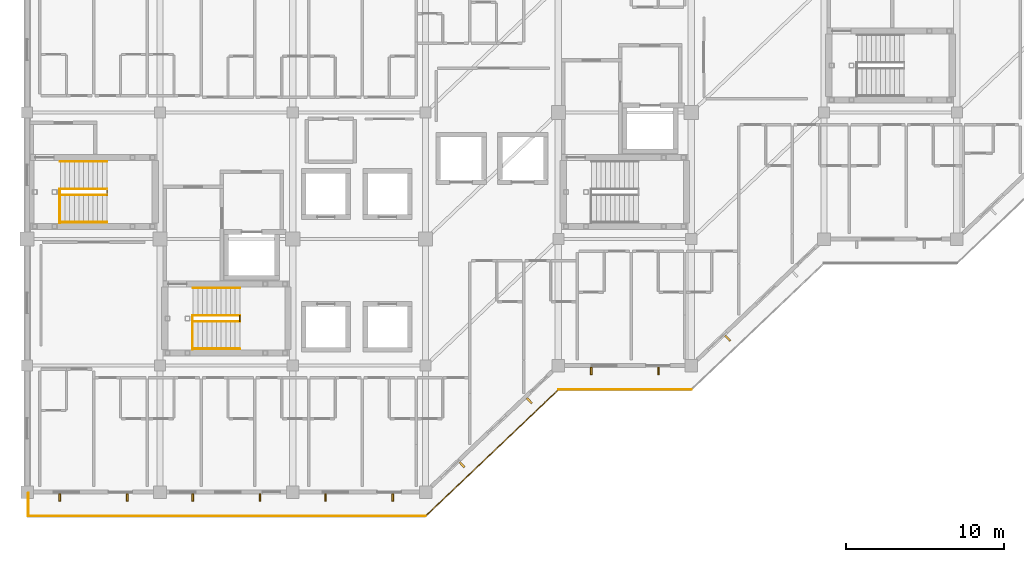
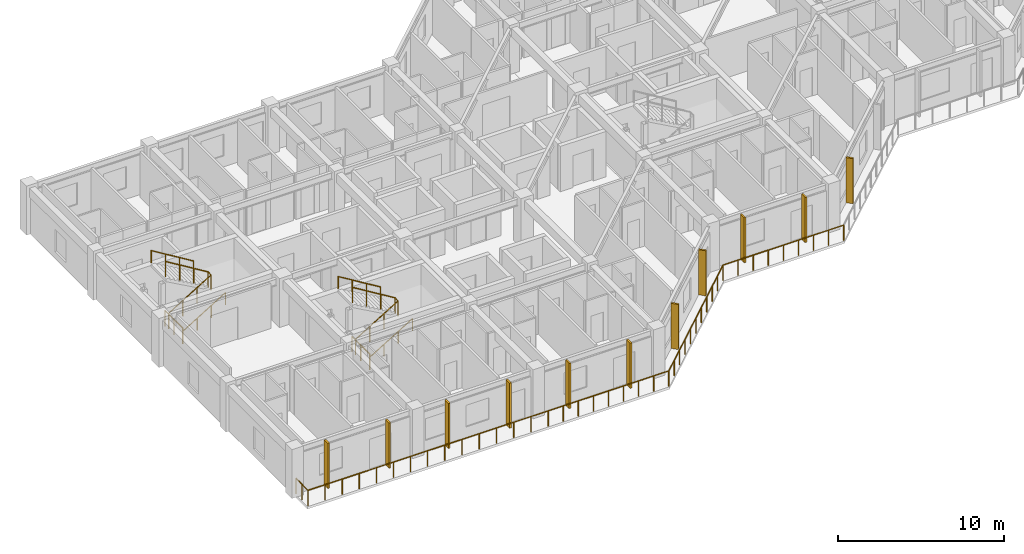
# One storey, part 16 of 17: 18 railings, 11 shading devices.
"""IFC4 building model written with IfcOpenShell, lengths in metres."""

import ifcopenshell
import ifcopenshell.guid

model = None  # the IFC model being written
_history = None  # IfcOwnerHistory: only IFC2X3 demands one
_inside = {}  # id of a spatial element -> (the spatial element, [elements in it])
_under = {}  # id of a project, library or spatial element -> (it, [spatial elements below it])
_declared = {}  # id of a project -> (the project, [libraries it declares])
_typed = {}  # id of a type object -> (the type object, [elements of that type])
_made_of = {}  # id of a material, layer set ... -> (it, [elements and type objects made of it])


def new_model(schema):
    """Start an empty IFC model of exactly this schema.

    Asked for "IFC4X3", IfcOpenShell would pick the latest addendum, in which some entities
    have other attributes; the version numbers below select the first issue.
    IFC2X3 requires an IfcOwnerHistory on every rooted entity: one is made here for all.
    """
    global model, _history
    if schema == "IFC4X3":
        model = ifcopenshell.file(schema_version=(4, 3, 0, 0))
    else:
        model = ifcopenshell.file(schema=schema)
    _inside.clear()
    _under.clear()
    _declared.clear()
    _typed.clear()
    _made_of.clear()
    _history = None
    if model.schema == "IFC2X3":
        org = make("IfcOrganization", Name="unknown")
        user = make(
            "IfcPersonAndOrganization",
            ThePerson=make("IfcPerson", FamilyName="unknown"),
            TheOrganization=org,
        )
        app = make(
            "IfcApplication",
            ApplicationDeveloper=org,
            Version="unknown",
            ApplicationFullName="unknown",
            ApplicationIdentifier="unknown",
        )
        _history = make(
            "IfcOwnerHistory",
            OwningUser=user,
            OwningApplication=app,
            ChangeAction="ADDED",
            CreationDate=0,
        )
    return model


def make(cls, **values):
    """One entity of the class cls with the attributes given. An attribute that is None is left unset."""
    return model.create_entity(
        cls, **{name: value for name, value in values.items() if value is not None}
    )


def rooted(cls, **values):
    """An entity with a GlobalId (a new one), such as an element, a storey or a relation."""
    return make(cls, GlobalId=ifcopenshell.guid.new(), OwnerHistory=_history, **values)


def si_unit(unit_type, name, prefix=None):
    """IfcSIUnit, for example si_unit("LENGTHUNIT", "METRE", prefix="MILLI")."""
    return make("IfcSIUnit", UnitType=unit_type, Prefix=prefix, Name=name)


def assignment(units):
    """IfcUnitAssignment: the units of a project."""
    return None if units is None else make("IfcUnitAssignment", Units=units)


def point(xyz):
    """IfcCartesianPoint."""
    return None if xyz is None else make("IfcCartesianPoint", Coordinates=xyz)


def direction(xyz):
    """IfcDirection."""
    return None if xyz is None else make("IfcDirection", DirectionRatios=xyz)


def frame(location, z_axis=None, x_axis=None):
    """IfcAxis2Placement3D, a coordinate frame: its origin and axes. An axis left out is left unset."""
    return make(
        "IfcAxis2Placement3D",
        Location=point(location),
        Axis=direction(z_axis),
        RefDirection=direction(x_axis),
    )


def frame_2d(location, x_axis=None):
    """IfcAxis2Placement2D, a coordinate frame in the plane: its origin and x axis."""
    return make(
        "IfcAxis2Placement2D", Location=point(location), RefDirection=direction(x_axis)
    )


def origin():
    """The frame at (0, 0, 0) with its axes left unset."""
    return frame((0.0, 0.0, 0.0))


def origin_2d():
    """The frame at (0, 0) in the plane with its x axis left unset."""
    return frame_2d((0.0, 0.0))


def place(relative_to, where):
    """IfcLocalPlacement: puts the frame where relative to a parent placement (None: the world)."""
    return make(
        "IfcLocalPlacement", PlacementRelTo=relative_to, RelativePlacement=where
    )


def context(
    kind, dimensions, precision=None, world=None, true_north=None, identifier=None
):
    """IfcGeometricRepresentationContext, for example the 3D "Model" context."""
    return make(
        "IfcGeometricRepresentationContext",
        ContextIdentifier=identifier,
        ContextType=kind,
        CoordinateSpaceDimension=dimensions,
        Precision=precision,
        WorldCoordinateSystem=world,
        TrueNorth=true_north,
    )


def subcontext(parent, identifier, kind, view, scale=None):
    """IfcGeometricRepresentationSubContext, for example "Body" below "Model"."""
    return make(
        "IfcGeometricRepresentationSubContext",
        ContextIdentifier=identifier,
        ContextType=kind,
        ParentContext=parent,
        TargetScale=scale,
        TargetView=view,
    )


def project(units=None, contexts=None):
    """IfcProject with its units and contexts."""
    return rooted(
        "IfcProject",
        Name="project",
        RepresentationContexts=contexts,
        UnitsInContext=assignment(units),
    )


def spatial(cls, under=None, at=None, **own):
    """A site, building, storey or space (cls), placed at a placement, below another one or the project."""
    s = rooted(cls, ObjectPlacement=at, **own)
    if under is not None:
        _under.setdefault(under.id(), (under, []))[1].append(s)
    return s


def profile(cls, at=None, kind="AREA", **sizes):
    """A parametric profile (cls). Its sizes go by their IFC names, for example OverallWidth=200.0."""
    return make(cls, ProfileType=kind, Position=at, **sizes)


def rectangle(**sizes):
    """IfcRectangleProfileDef."""
    return profile("IfcRectangleProfileDef", **sizes)


def circle(**sizes):
    """IfcCircleProfileDef."""
    return profile("IfcCircleProfileDef", **sizes)


def extrude(swept, where, along, depth):
    """IfcExtrudedAreaSolid: the profile swept, set in the frame where, extruded along a direction by depth."""
    return make(
        "IfcExtrudedAreaSolid",
        SweptArea=swept,
        Position=where,
        ExtrudedDirection=direction(along),
        Depth=depth,
    )


def shape(context_of_items, identifier, shape_type, items):
    """IfcShapeRepresentation: the items that make up one representation, for example the "Body"."""
    return make(
        "IfcShapeRepresentation",
        ContextOfItems=context_of_items,
        RepresentationIdentifier=identifier,
        RepresentationType=shape_type,
        Items=items,
    )


def material(Name=None, Category=None):
    """IfcMaterial."""
    return make("IfcMaterial", Name=Name, Category=Category)


def layer(
    of_material, thickness, ventilated=None, Name=None, Category=None, Priority=None
):
    """IfcMaterialLayer: one layer of a wall or slab, of a material (None: an air gap)."""
    return make(
        "IfcMaterialLayer",
        Material=of_material,
        LayerThickness=thickness,
        IsVentilated=ventilated,
        Name=Name,
        Category=Category,
        Priority=Priority,
    )


def layer_set(layers, Name=None):
    """IfcMaterialLayerSet."""
    return make("IfcMaterialLayerSet", MaterialLayers=layers, LayerSetName=Name)


def made_of(thing, what):
    """Note that an element or type object is made of a material, layer set ...; save() writes the relation."""
    if what is not None:
        _made_of.setdefault(what.id(), (what, []))[1].append(thing)
    return thing


def type_object(cls, material=None, **own):
    """A type object (cls), such as IfcWallType, which elements share."""
    return made_of(rooted(cls, **own), material)


def element(
    cls,
    number,
    at=None,
    inside=None,
    cuts=None,
    type_object=None,
    material=None,
    context=None,
    identifier="Body",
    shape_type=None,
    held_by="IfcProductDefinitionShape",
    body=None,
    shapes=None,
    **own,
):
    """One element of the class cls, such as IfcWall. Its Tag is "e" and its number.

    at: its placement. inside: the storey or other place that contains it. cuts: it is an
    opening in that element (IfcRelVoidsElement). A single representation is given by context,
    identifier, shape_type and body (its items); several are given by shapes. held_by: the class
    of the entity that holds the representations. save() writes the other relations.
    """
    e = rooted(cls, Tag="e%d" % number, ObjectPlacement=at, **own)
    if body is not None:
        shapes = [shape(context, identifier, shape_type, body)]
    if shapes is not None:
        e.Representation = make(held_by, Representations=shapes)
    if inside is not None:
        _inside.setdefault(inside.id(), (inside, []))[1].append(e)
    if cuts is not None:
        rooted(
            "IfcRelVoidsElement", RelatingBuildingElement=cuts, RelatedOpeningElement=e
        )
    if type_object is not None:
        _typed.setdefault(type_object.id(), (type_object, []))[1].append(e)
    return made_of(e, material)


def aggregate(whole, parts):
    """IfcRelAggregates: a whole, such as a stair, and the parts it consists of."""
    return rooted("IfcRelAggregates", RelatingObject=whole, RelatedObjects=parts)


def save(model, path):
    """Write the relations noted so far, then the file.

    IfcRelAggregates (storeys below a building ...), IfcRelContainedInSpatialStructure (elements
    in a storey), IfcRelDefinesByType, IfcRelAssociatesMaterial and IfcRelDeclares: one each for
    every whole, place, type object, material and project.
    """
    for whole, parts in _under.values():
        aggregate(whole, parts)
    for where, things in _inside.values():
        rooted(
            "IfcRelContainedInSpatialStructure",
            RelatedElements=things,
            RelatingStructure=where,
        )
    for kind, things in _typed.values():
        rooted("IfcRelDefinesByType", RelatedObjects=things, RelatingType=kind)
    for what, things in _made_of.values():
        rooted("IfcRelAssociatesMaterial", RelatedObjects=things, RelatingMaterial=what)
    for by, libraries in _declared.values():
        rooted("IfcRelDeclares", RelatingContext=by, RelatedDefinitions=libraries)
    model.write(path)


model = new_model("IFC4")

# Units and contexts
model_context = context("Model", 3, precision=1e-05, world=origin(), true_north=direction((0.0, 1.0)))
body_context = subcontext(model_context, "Body", "Model", "MODEL_VIEW")
ifc_project = project(units=[si_unit("LENGTHUNIT", "METRE"), si_unit("AREAUNIT", "SQUARE_METRE"), si_unit("VOLUMEUNIT", "CUBIC_METRE"), si_unit("PLANEANGLEUNIT", "RADIAN"), si_unit("MASSUNIT", "GRAM", prefix="KILO")], contexts=[model_context])

# Site, building, storey
site_placement = place(None, origin())
site = spatial("IfcSite", under=ifc_project, at=site_placement, CompositionType="ELEMENT")
building_placement = place(site_placement, origin())
building = spatial("IfcBuilding", under=site, at=building_placement, Name="Naruveol Harbour Congress Hotel", CompositionType="ELEMENT")
storey_placement = place(building_placement, frame((0.0, 0.0, 25.199951171875)))
storey = spatial("IfcBuildingStorey", under=building, at=storey_placement, Name="L05", CompositionType="ELEMENT", Elevation=25.199951171875)

# Railings
ifc_material_1 = material(Name="Tempered Laminated Safety Glass & Stainless Steel", Category="steel")
ifc_layer_1 = layer(ifc_material_1, 0.06005859375)
ifc_layer_set_1 = layer_set([ifc_layer_1], Name="Tempered Laminated Safety Glass & Stainless Steel")
railing_type_1 = type_object("IfcRailingType", Name="LAMINATED GLASS TERRACE BALUSTRADE 1150", PredefinedType="BALUSTRADE", material=ifc_layer_set_1)
railing_1_placement = place(storey_placement, frame((117.679931640625, -0.06005859375, 0.0)))
element("IfcRailing", 1, at=railing_1_placement, inside=storey, type_object=railing_type_1, Name="L05 Harbour balcony balustrade #78", PredefinedType="BALUSTRADE", context=body_context, shape_type="SweptSolid", body=[
    extrude(circle(Radius=0.02392578125, at=origin_2d()), frame((0.0, 0.0, 1.1259765625), z_axis=(0.0, -1.0, 0.0), x_axis=(1.0, 0.0, 0.0)), (0.0, 0.0, 1.0), 1.4599609375),
    extrude(circle(Radius=0.02099609375, at=origin_2d()), origin(), (0.0, 0.0, 1.0), 1.101806640625),
    extrude(circle(Radius=0.02099609375, at=origin_2d()), frame((0.0, -0.72998046875, 0.0)), (0.0, 0.0, 1.0), 1.101806640625),
    extrude(circle(Radius=0.02099609375, at=origin_2d()), frame((0.0, -1.4599609375, 0.0)), (0.0, 0.0, 1.0), 1.101806640625),
])
railing_2_placement = place(storey_placement, frame((117.679931640625, -1.52001953125, 0.0)))
element("IfcRailing", 2, at=railing_2_placement, inside=storey, type_object=railing_type_1, Name="L05 Harbour balcony balustrade #79", PredefinedType="BALUSTRADE", context=body_context, shape_type="SweptSolid", body=[
    extrude(circle(Radius=0.02392578125, at=origin_2d()), frame((0.0, 0.0, 1.1259765625), z_axis=(1.0, 0.0, 0.0), x_axis=(0.0, 1.0, 0.0)), (0.0, 0.0, 1.0), 8.320068359375),
    extrude(circle(Radius=0.02099609375, at=origin_2d()), origin(), (0.0, 0.0, 1.0), 1.101806640625),
    extrude(circle(Radius=0.02099609375, at=origin_2d()), frame((1.1884765625, 0.0, 0.0)), (0.0, 0.0, 1.0), 1.101806640625),
    extrude(circle(Radius=0.02099609375, at=origin_2d()), frame((2.377197265625, 0.0, 0.0)), (0.0, 0.0, 1.0), 1.101806640625),
    extrude(circle(Radius=0.02099609375, at=origin_2d()), frame((3.565673828125, 0.0, 0.0)), (0.0, 0.0, 1.0), 1.101806640625),
    extrude(circle(Radius=0.02099609375, at=origin_2d()), frame((4.75439453125, 0.0, 0.0)), (0.0, 0.0, 1.0), 1.101806640625),
    extrude(circle(Radius=0.02099609375, at=origin_2d()), frame((5.94287109375, 0.0, 0.0)), (0.0, 0.0, 1.0), 1.101806640625),
    extrude(circle(Radius=0.02099609375, at=origin_2d()), frame((7.131591796875, 0.0, 0.0)), (0.0, 0.0, 1.0), 1.101806640625),
    extrude(circle(Radius=0.02099609375, at=origin_2d()), frame((8.320068359375, 0.0, 0.0)), (0.0, 0.0, 1.0), 1.101806640625),
])
railing_3_placement = place(storey_placement, frame((126.0, -1.52001953125, 0.0)))
element("IfcRailing", 3, at=railing_3_placement, inside=storey, type_object=railing_type_1, Name="L05 Harbour balcony balustrade #80", PredefinedType="BALUSTRADE", context=body_context, shape_type="SweptSolid", body=[
    extrude(circle(Radius=0.02392578125, at=origin_2d()), frame((0.0, 0.0, 1.1259765625), z_axis=(1.0, 0.0, 0.0), x_axis=(0.0, 1.0, 0.0)), (0.0, 0.0, 1.0), 8.39990234375),
    extrude(circle(Radius=0.02099609375, at=origin_2d()), origin(), (0.0, 0.0, 1.0), 1.101806640625),
    extrude(circle(Radius=0.02099609375, at=origin_2d()), frame((1.199951171875, 0.0, 0.0)), (0.0, 0.0, 1.0), 1.101806640625),
    extrude(circle(Radius=0.02099609375, at=origin_2d()), frame((2.39990234375, 0.0, 0.0)), (0.0, 0.0, 1.0), 1.101806640625),
    extrude(circle(Radius=0.02099609375, at=origin_2d()), frame((3.599853515625, 0.0, 0.0)), (0.0, 0.0, 1.0), 1.101806640625),
    extrude(circle(Radius=0.02099609375, at=origin_2d()), frame((4.800048828125, 0.0, 0.0)), (0.0, 0.0, 1.0), 1.101806640625),
    extrude(circle(Radius=0.02099609375, at=origin_2d()), frame((6.0, 0.0, 0.0)), (0.0, 0.0, 1.0), 1.101806640625),
    extrude(circle(Radius=0.02099609375, at=origin_2d()), frame((7.199951171875, 0.0, 0.0)), (0.0, 0.0, 1.0), 1.101806640625),
    extrude(circle(Radius=0.02099609375, at=origin_2d()), frame((8.39990234375, 0.0, 0.0)), (0.0, 0.0, 1.0), 1.101806640625),
])
railing_4_placement = place(storey_placement, frame((134.39990234375, -1.52001953125, 0.0)))
element("IfcRailing", 4, at=railing_4_placement, inside=storey, type_object=railing_type_1, Name="L05 Harbour balcony balustrade #81", PredefinedType="BALUSTRADE", context=body_context, shape_type="SweptSolid", body=[
    extrude(circle(Radius=0.02392578125, at=origin_2d()), frame((0.0, 0.0, 1.1259765625), z_axis=(1.0, 0.0, 0.0), x_axis=(0.0, 1.0, 0.0)), (0.0, 0.0, 1.0), 8.400146484375),
    extrude(circle(Radius=0.02099609375, at=origin_2d()), origin(), (0.0, 0.0, 1.0), 1.101806640625),
    extrude(circle(Radius=0.02099609375, at=origin_2d()), frame((1.050048828125, 0.0, 0.0)), (0.0, 0.0, 1.0), 1.101806640625),
    extrude(circle(Radius=0.02099609375, at=origin_2d()), frame((2.10009765625, 0.0, 0.0)), (0.0, 0.0, 1.0), 1.101806640625),
    extrude(circle(Radius=0.02099609375, at=origin_2d()), frame((3.150146484375, 0.0, 0.0)), (0.0, 0.0, 1.0), 1.101806640625),
    extrude(circle(Radius=0.02099609375, at=origin_2d()), frame((4.2001953125, 0.0, 0.0)), (0.0, 0.0, 1.0), 1.101806640625),
    extrude(circle(Radius=0.02099609375, at=origin_2d()), frame((5.25, 0.0, 0.0)), (0.0, 0.0, 1.0), 1.101806640625),
    extrude(circle(Radius=0.02099609375, at=origin_2d()), frame((6.300048828125, 0.0, 0.0)), (0.0, 0.0, 1.0), 1.101806640625),
    extrude(circle(Radius=0.02099609375, at=origin_2d()), frame((7.35009765625, 0.0, 0.0)), (0.0, 0.0, 1.0), 1.101806640625),
    extrude(circle(Radius=0.02099609375, at=origin_2d()), frame((8.400146484375, 0.0, 0.0)), (0.0, 0.0, 1.0), 1.101806640625),
])
railing_5_placement = place(storey_placement, frame((142.800048828125, -1.52001953125, 0.0)))
element("IfcRailing", 5, at=railing_5_placement, inside=storey, type_object=railing_type_1, Name="L05 Harbour balcony balustrade #82", PredefinedType="BALUSTRADE", context=body_context, shape_type="SweptSolid", body=[
    extrude(circle(Radius=0.02392578125, at=origin_2d()), frame((0.0, 0.0, 1.1259765625), z_axis=(0.724133926887, 0.689659376744, 0.0), x_axis=(-0.689659376744, 0.724133926887, 0.0)), (0.0, 0.0, 1.0), 11.599853515625),
    extrude(circle(Radius=0.02099609375, at=origin_2d()), origin(), (0.0, 0.0, 1.0), 1.101806640625),
    extrude(circle(Radius=0.02099609375, at=origin_2d()), frame((0.840087890625, 0.800048828125, 0.0)), (0.0, 0.0, 1.0), 1.101806640625),
    extrude(circle(Radius=0.02099609375, at=origin_2d()), frame((1.679931640625, 1.60009765625, 0.0)), (0.0, 0.0, 1.0), 1.101806640625),
    extrude(circle(Radius=0.02099609375, at=origin_2d()), frame((2.52001953125, 2.39990234375, 0.0)), (0.0, 0.0, 1.0), 1.101806640625),
    extrude(circle(Radius=0.02099609375, at=origin_2d()), frame((3.35986328125, 3.199951171875, 0.0)), (0.0, 0.0, 1.0), 1.101806640625),
    extrude(circle(Radius=0.02099609375, at=origin_2d()), frame((4.199951171875, 4.0, 0.0)), (0.0, 0.0, 1.0), 1.101806640625),
    extrude(circle(Radius=0.02099609375, at=origin_2d()), frame((5.0400390625, 4.800048828125, 0.0)), (0.0, 0.0, 1.0), 1.101806640625),
    extrude(circle(Radius=0.02099609375, at=origin_2d()), frame((5.8798828125, 5.60009765625, 0.0)), (0.0, 0.0, 1.0), 1.101806640625),
    extrude(circle(Radius=0.02099609375, at=origin_2d()), frame((6.719970703125, 6.39990234375, 0.0)), (0.0, 0.0, 1.0), 1.101806640625),
    extrude(circle(Radius=0.02099609375, at=origin_2d()), frame((7.559814453125, 7.199951171875, 0.0)), (0.0, 0.0, 1.0), 1.101806640625),
    extrude(circle(Radius=0.02099609375, at=origin_2d()), frame((8.39990234375, 8.0, 0.0)), (0.0, 0.0, 1.0), 1.101806640625),
])
railing_6_placement = place(storey_placement, frame((151.199951171875, 6.47998046875, 0.0)))
element("IfcRailing", 6, at=railing_6_placement, inside=storey, type_object=railing_type_1, Name="L05 Harbour balcony balustrade #83", PredefinedType="BALUSTRADE", context=body_context, shape_type="SweptSolid", body=[
    extrude(circle(Radius=0.02392578125, at=origin_2d()), frame((0.0, 0.0, 1.1259765625), z_axis=(1.0, 0.0, 0.0), x_axis=(0.0, 1.0, 0.0)), (0.0, 0.0, 1.0), 8.400146484375),
    extrude(circle(Radius=0.02099609375, at=origin_2d()), origin(), (0.0, 0.0, 1.0), 1.101806640625),
    extrude(circle(Radius=0.02099609375, at=origin_2d()), frame((1.050048828125, 0.0, 0.0)), (0.0, 0.0, 1.0), 1.101806640625),
    extrude(circle(Radius=0.02099609375, at=origin_2d()), frame((2.10009765625, 0.0, 0.0)), (0.0, 0.0, 1.0), 1.101806640625),
    extrude(circle(Radius=0.02099609375, at=origin_2d()), frame((3.150146484375, 0.0, 0.0)), (0.0, 0.0, 1.0), 1.101806640625),
    extrude(circle(Radius=0.02099609375, at=origin_2d()), frame((4.2001953125, 0.0, 0.0)), (0.0, 0.0, 1.0), 1.101806640625),
    extrude(circle(Radius=0.02099609375, at=origin_2d()), frame((5.25, 0.0, 0.0)), (0.0, 0.0, 1.0), 1.101806640625),
    extrude(circle(Radius=0.02099609375, at=origin_2d()), frame((6.300048828125, 0.0, 0.0)), (0.0, 0.0, 1.0), 1.101806640625),
    extrude(circle(Radius=0.02099609375, at=origin_2d()), frame((7.35009765625, 0.0, 0.0)), (0.0, 0.0, 1.0), 1.101806640625),
    extrude(circle(Radius=0.02099609375, at=origin_2d()), frame((8.400146484375, 0.0, 0.0)), (0.0, 0.0, 1.0), 1.101806640625),
])

# Shading devices
ifc_material_2 = material(Name="Precast concrete C40/50", Category="concrete")
shading_device_type = type_object("IfcShadingDeviceType", Name="PRECAST VERTICAL BRISE SOLEIL FIN 120X450", PredefinedType="JALOUSIE", material=ifc_material_2)
for number, where, z_axis, x_axis, name in (
    (7, (123.927978515625, -0.340087890625, 0.0), (0.0, 0.0, 1.0), (-1.0, 0.0, 0.0), "Precast brise-soleil fin BS-V450 #25"),
    (8, (119.672119140625, -0.340087890625, 0.0), (0.0, 0.0, 1.0), (-1.0, 0.0, 0.0), "Precast brise-soleil fin BS-V450 #26"),
    (9, (132.327880859375, -0.340087890625, 0.0), (0.0, 0.0, 1.0), (-1.0, 0.0, 0.0), "Precast brise-soleil fin BS-V450 #27"),
    (10, (128.072021484375, -0.340087890625, 0.0), (0.0, 0.0, 1.0), (-1.0, 0.0, 0.0), "Precast brise-soleil fin BS-V450 #28"),
    (11, (140.72802734375, -0.340087890625, 0.0), (0.0, 0.0, 1.0), (-1.0, 0.0, 0.0), "Precast brise-soleil fin BS-V450 #29"),
    (12, (136.471923828125, -0.340087890625, 0.0), (0.0, 0.0, 1.0), (-1.0, 0.0, 0.0), "Precast brise-soleil fin BS-V450 #30"),
    (13, (149.362060546875, 5.780029296875, 0.0), (0.0, 0.0, 1.0), (-0.724171861437, -0.689619543736, 0.0), "Precast brise-soleil fin BS-V450 #31"),
    (14, (145.10693359375, 1.72705078125, 0.0), (0.0, 0.0, 1.0), (-0.724171861437, -0.689619543736, 0.0), "Precast brise-soleil fin BS-V450 #32"),
    (15, (157.528076171875, 7.659912109375, 0.0), (0.0, 0.0, 1.0), (-1.0, 0.0, 0.0), "Precast brise-soleil fin BS-V450 #33"),
    (16, (153.27197265625, 7.659912109375, 0.0), (0.0, 0.0, 1.0), (-1.0, 0.0, 0.0), "Precast brise-soleil fin BS-V450 #34"),
    (17, (161.906982421875, 9.72705078125, 0.0), (0.0, 0.0, 1.0), (-0.724171861437, -0.689619543736, 0.0), "Precast brise-soleil fin BS-V450 #36"),
):
    element("IfcShadingDevice", number, at=place(storey_placement, frame(where, z_axis=z_axis, x_axis=x_axis)), inside=storey, type_object=shading_device_type, Name=name, PredefinedType="JALOUSIE", context=body_context, shape_type="SweptSolid", body=[
        extrude(rectangle(XDim=0.1201171875, YDim=0.449951171875, at=origin_2d()), origin(), (0.0, 0.0, 1.0), 3.320068359375),
    ])

# Railings
ifc_material_3 = material(Name="Stainless Steel 304", Category="steel")
ifc_layer_2 = layer(ifc_material_3, 0.0419921875)
ifc_layer_set_2 = layer_set([ifc_layer_2], Name="Stainless Steel 304")
railing_type_2 = type_object("IfcRailingType", Name="STAIR WALL MOUNTED HANDRAIL 900", PredefinedType="HANDRAIL", material=ifc_layer_set_2)
railing_7_placement = place(storey_placement, frame((128.10009765625, 9.06005859375, 0.0)))
element("IfcRailing", 18, at=railing_7_placement, inside=storey, type_object=railing_type_2, Name="Stair ST1 L05 lower wall handrail", PredefinedType="HANDRAIL", context=body_context, shape_type="SweptSolid", body=[
    extrude(circle(Radius=0.02392578125, at=origin_2d()), frame((0.0, 0.0, 0.8759765625), z_axis=(0.85362916449, 0.0, 0.520881224016), x_axis=(0.0, 1.0, 0.0)), (0.0, 0.0, 1.0), 3.455810546875),
    extrude(circle(Radius=0.02099609375, at=origin_2d()), origin(), (0.0, 0.0, 1.0), 0.851806640625),
    extrude(circle(Radius=0.02099609375, at=origin_2d()), frame((0.9833984375, 0.0, 0.60009765625)), (0.0, 0.0, 1.0), 0.851806640625),
    extrude(circle(Radius=0.02099609375, at=origin_2d()), frame((1.966552734375, 0.0, 1.199951171875)), (0.0, 0.0, 1.0), 0.851806640625),
    extrude(circle(Radius=0.02099609375, at=origin_2d()), frame((2.949951171875, 0.0, 1.800048828125)), (0.0, 0.0, 1.0), 0.851806640625),
])
railing_8_placement = place(storey_placement, frame((131.050048828125, 12.89990234375, 1.800048828125)))
element("IfcRailing", 19, at=railing_8_placement, inside=storey, type_object=railing_type_2, Name="Stair ST1 L05 upper wall handrail", PredefinedType="HANDRAIL", context=body_context, shape_type="SweptSolid", body=[
    extrude(circle(Radius=0.02392578125, at=origin_2d()), frame((0.0, 0.0, 0.8759765625), z_axis=(-0.85362916449, 0.0, 0.520881224016), x_axis=(0.0, -1.0, 0.0)), (0.0, 0.0, 1.0), 3.455810546875),
    extrude(circle(Radius=0.02099609375, at=origin_2d()), origin(), (0.0, 0.0, 1.0), 0.851806640625),
    extrude(circle(Radius=0.02099609375, at=origin_2d()), frame((-0.9833984375, 0.0, 0.60009765625)), (0.0, 0.0, 1.0), 0.851806640625),
    extrude(circle(Radius=0.02099609375, at=origin_2d()), frame((-1.966552734375, 0.0, 1.199951171875)), (0.0, 0.0, 1.0), 0.851806640625),
    extrude(circle(Radius=0.02099609375, at=origin_2d()), frame((-2.949951171875, 0.0, 1.800048828125)), (0.0, 0.0, 1.0), 0.851806640625),
])
railing_9_placement = place(storey_placement, frame((119.699951171875, 17.06005859375, 0.0)))
element("IfcRailing", 20, at=railing_9_placement, inside=storey, type_object=railing_type_2, Name="Stair ST3 L05 lower wall handrail", PredefinedType="HANDRAIL", context=body_context, shape_type="SweptSolid", body=[
    extrude(circle(Radius=0.02392578125, at=origin_2d()), frame((0.0, 0.0, 0.8759765625), z_axis=(0.85362916449, 0.0, 0.520881224016), x_axis=(0.0, 1.0, 0.0)), (0.0, 0.0, 1.0), 3.455810546875),
    extrude(circle(Radius=0.02099609375, at=origin_2d()), origin(), (0.0, 0.0, 1.0), 0.851806640625),
    extrude(circle(Radius=0.02099609375, at=origin_2d()), frame((0.9833984375, 0.0, 0.60009765625)), (0.0, 0.0, 1.0), 0.851806640625),
    extrude(circle(Radius=0.02099609375, at=origin_2d()), frame((1.966552734375, 0.0, 1.199951171875)), (0.0, 0.0, 1.0), 0.851806640625),
    extrude(circle(Radius=0.02099609375, at=origin_2d()), frame((2.949951171875, 0.0, 1.800048828125)), (0.0, 0.0, 1.0), 0.851806640625),
])
railing_10_placement = place(storey_placement, frame((122.64990234375, 20.89990234375, 1.800048828125)))
element("IfcRailing", 21, at=railing_10_placement, inside=storey, type_object=railing_type_2, Name="Stair ST3 L05 upper wall handrail", PredefinedType="HANDRAIL", context=body_context, shape_type="SweptSolid", body=[
    extrude(circle(Radius=0.02392578125, at=origin_2d()), frame((0.0, 0.0, 0.8759765625), z_axis=(-0.85362916449, 0.0, 0.520881224016), x_axis=(0.0, -1.0, 0.0)), (0.0, 0.0, 1.0), 3.455810546875),
    extrude(circle(Radius=0.02099609375, at=origin_2d()), origin(), (0.0, 0.0, 1.0), 0.851806640625),
    extrude(circle(Radius=0.02099609375, at=origin_2d()), frame((-0.9833984375, 0.0, 0.60009765625)), (0.0, 0.0, 1.0), 0.851806640625),
    extrude(circle(Radius=0.02099609375, at=origin_2d()), frame((-1.966552734375, 0.0, 1.199951171875)), (0.0, 0.0, 1.0), 0.851806640625),
    extrude(circle(Radius=0.02099609375, at=origin_2d()), frame((-2.949951171875, 0.0, 1.800048828125)), (0.0, 0.0, 1.0), 0.851806640625),
])
ifc_material_4 = material(Name="Steel SN490", Category="steel")
ifc_layer_3 = layer(ifc_material_4, 0.044921875)
ifc_layer_set_3 = layer_set([ifc_layer_3], Name="Steel SN490")
railing_type_3 = type_object("IfcRailingType", Name="STAIRWELL STEEL GUARDRAIL 1150", PredefinedType="GUARDRAIL", material=ifc_layer_set_3)
railing_11_placement = place(storey_placement, frame((128.10009765625, 10.7900390625, 0.0)))
element("IfcRailing", 22, at=railing_11_placement, inside=storey, type_object=railing_type_3, Name="Stair ST1 L05 lower well guard", PredefinedType="GUARDRAIL", context=body_context, shape_type="SweptSolid", body=[
    extrude(circle(Radius=0.02392578125, at=origin_2d()), frame((0.0, 0.0, 1.1259765625), z_axis=(0.85362916449, 0.0, 0.520881224016), x_axis=(0.0, 1.0, 0.0)), (0.0, 0.0, 1.0), 3.455810546875),
    extrude(circle(Radius=0.02099609375, at=origin_2d()), origin(), (0.0, 0.0, 1.0), 1.101806640625),
    extrude(circle(Radius=0.02099609375, at=origin_2d()), frame((0.9833984375, 0.0, 0.60009765625)), (0.0, 0.0, 1.0), 1.101806640625),
    extrude(circle(Radius=0.02099609375, at=origin_2d()), frame((1.966552734375, 0.0, 1.199951171875)), (0.0, 0.0, 1.0), 1.101806640625),
    extrude(circle(Radius=0.02099609375, at=origin_2d()), frame((2.949951171875, 0.0, 1.800048828125)), (0.0, 0.0, 1.0), 1.101806640625),
])
railing_12_placement = place(storey_placement, frame((131.050048828125, 10.7900390625, 1.800048828125)))
element("IfcRailing", 23, at=railing_12_placement, inside=storey, type_object=railing_type_3, Name="Stair ST1 L05 half-landing slot guard", PredefinedType="GUARDRAIL", context=body_context, shape_type="SweptSolid", body=[
    extrude(circle(Radius=0.02392578125, at=origin_2d()), frame((0.0, 0.0, 1.1259765625), z_axis=(0.0, 1.0, 0.0), x_axis=(-1.0, 0.0, 0.0)), (0.0, 0.0, 1.0), 0.3798828125),
    extrude(circle(Radius=0.02099609375, at=origin_2d()), origin(), (0.0, 0.0, 1.0), 1.101806640625),
    extrude(circle(Radius=0.02099609375, at=origin_2d()), frame((0.0, 0.3798828125, 0.0)), (0.0, 0.0, 1.0), 1.101806640625),
])
railing_13_placement = place(storey_placement, frame((131.050048828125, 11.169921875, 1.800048828125)))
element("IfcRailing", 24, at=railing_13_placement, inside=storey, type_object=railing_type_3, Name="Stair ST1 L05 upper well guard", PredefinedType="GUARDRAIL", context=body_context, shape_type="SweptSolid", body=[
    extrude(circle(Radius=0.02392578125, at=origin_2d()), frame((0.0, 0.0, 1.1259765625), z_axis=(-0.85362916449, 0.0, 0.520881224016), x_axis=(0.0, -1.0, 0.0)), (0.0, 0.0, 1.0), 3.455810546875),
    extrude(circle(Radius=0.02099609375, at=origin_2d()), origin(), (0.0, 0.0, 1.0), 1.101806640625),
    extrude(circle(Radius=0.02099609375, at=origin_2d()), frame((-0.9833984375, 0.0, 0.60009765625)), (0.0, 0.0, 1.0), 1.101806640625),
    extrude(circle(Radius=0.02099609375, at=origin_2d()), frame((-1.966552734375, 0.0, 1.199951171875)), (0.0, 0.0, 1.0), 1.101806640625),
    extrude(circle(Radius=0.02099609375, at=origin_2d()), frame((-2.949951171875, 0.0, 1.800048828125)), (0.0, 0.0, 1.0), 1.101806640625),
])
railing_14_placement = place(storey_placement, frame((128.06005859375, 9.02001953125, 0.0)))
element("IfcRailing", 25, at=railing_14_placement, inside=storey, type_object=railing_type_3, Name="Stair ST1 L05 landing well guard", PredefinedType="GUARDRAIL", context=body_context, shape_type="SweptSolid", body=[
    extrude(circle(Radius=0.02392578125, at=origin_2d()), frame((0.0, 0.0, 1.1259765625), z_axis=(0.0, 1.0, 0.0), x_axis=(-1.0, 0.0, 0.0)), (0.0, 0.0, 1.0), 2.14990234375),
    extrude(circle(Radius=0.02099609375, at=origin_2d()), origin(), (0.0, 0.0, 1.0), 1.101806640625),
    extrude(circle(Radius=0.02099609375, at=origin_2d()), frame((0.0, 1.074951171875, 0.0)), (0.0, 0.0, 1.0), 1.101806640625),
    extrude(circle(Radius=0.02099609375, at=origin_2d()), frame((0.0, 2.14990234375, 0.0)), (0.0, 0.0, 1.0), 1.101806640625),
])
railing_15_placement = place(storey_placement, frame((119.699951171875, 18.7900390625, 0.0)))
element("IfcRailing", 26, at=railing_15_placement, inside=storey, type_object=railing_type_3, Name="Stair ST3 L05 lower well guard", PredefinedType="GUARDRAIL", context=body_context, shape_type="SweptSolid", body=[
    extrude(circle(Radius=0.02392578125, at=origin_2d()), frame((0.0, 0.0, 1.1259765625), z_axis=(0.85362916449, 0.0, 0.520881224016), x_axis=(0.0, 1.0, 0.0)), (0.0, 0.0, 1.0), 3.455810546875),
    extrude(circle(Radius=0.02099609375, at=origin_2d()), origin(), (0.0, 0.0, 1.0), 1.101806640625),
    extrude(circle(Radius=0.02099609375, at=origin_2d()), frame((0.9833984375, 0.0, 0.60009765625)), (0.0, 0.0, 1.0), 1.101806640625),
    extrude(circle(Radius=0.02099609375, at=origin_2d()), frame((1.966552734375, 0.0, 1.199951171875)), (0.0, 0.0, 1.0), 1.101806640625),
    extrude(circle(Radius=0.02099609375, at=origin_2d()), frame((2.949951171875, 0.0, 1.800048828125)), (0.0, 0.0, 1.0), 1.101806640625),
])
railing_16_placement = place(storey_placement, frame((122.64990234375, 18.7900390625, 1.800048828125)))
element("IfcRailing", 27, at=railing_16_placement, inside=storey, type_object=railing_type_3, Name="Stair ST3 L05 half-landing slot guard", PredefinedType="GUARDRAIL", context=body_context, shape_type="SweptSolid", body=[
    extrude(circle(Radius=0.02392578125, at=origin_2d()), frame((0.0, 0.0, 1.1259765625), z_axis=(0.0, 1.0, 0.0), x_axis=(-1.0, 0.0, 0.0)), (0.0, 0.0, 1.0), 0.3798828125),
    extrude(circle(Radius=0.02099609375, at=origin_2d()), origin(), (0.0, 0.0, 1.0), 1.101806640625),
    extrude(circle(Radius=0.02099609375, at=origin_2d()), frame((0.0, 0.3798828125, 0.0)), (0.0, 0.0, 1.0), 1.101806640625),
])
railing_17_placement = place(storey_placement, frame((122.64990234375, 19.169921875, 1.800048828125)))
element("IfcRailing", 28, at=railing_17_placement, inside=storey, type_object=railing_type_3, Name="Stair ST3 L05 upper well guard", PredefinedType="GUARDRAIL", context=body_context, shape_type="SweptSolid", body=[
    extrude(circle(Radius=0.02392578125, at=origin_2d()), frame((0.0, 0.0, 1.1259765625), z_axis=(-0.85362916449, 0.0, 0.520881224016), x_axis=(0.0, -1.0, 0.0)), (0.0, 0.0, 1.0), 3.455810546875),
    extrude(circle(Radius=0.02099609375, at=origin_2d()), origin(), (0.0, 0.0, 1.0), 1.101806640625),
    extrude(circle(Radius=0.02099609375, at=origin_2d()), frame((-0.9833984375, 0.0, 0.60009765625)), (0.0, 0.0, 1.0), 1.101806640625),
    extrude(circle(Radius=0.02099609375, at=origin_2d()), frame((-1.966552734375, 0.0, 1.199951171875)), (0.0, 0.0, 1.0), 1.101806640625),
    extrude(circle(Radius=0.02099609375, at=origin_2d()), frame((-2.949951171875, 0.0, 1.800048828125)), (0.0, 0.0, 1.0), 1.101806640625),
])
railing_18_placement = place(storey_placement, frame((119.659912109375, 17.02001953125, 0.0)))
element("IfcRailing", 29, at=railing_18_placement, inside=storey, type_object=railing_type_3, Name="Stair ST3 L05 landing well guard", PredefinedType="GUARDRAIL", context=body_context, shape_type="SweptSolid", body=[
    extrude(circle(Radius=0.02392578125, at=origin_2d()), frame((0.0, 0.0, 1.1259765625), z_axis=(0.0, 1.0, 0.0), x_axis=(-1.0, 0.0, 0.0)), (0.0, 0.0, 1.0), 2.14990234375),
    extrude(circle(Radius=0.02099609375, at=origin_2d()), origin(), (0.0, 0.0, 1.0), 1.101806640625),
    extrude(circle(Radius=0.02099609375, at=origin_2d()), frame((0.0, 1.074951171875, 0.0)), (0.0, 0.0, 1.0), 1.101806640625),
    extrude(circle(Radius=0.02099609375, at=origin_2d()), frame((0.0, 2.14990234375, 0.0)), (0.0, 0.0, 1.0), 1.101806640625),
])

save(model, "model.ifc")
